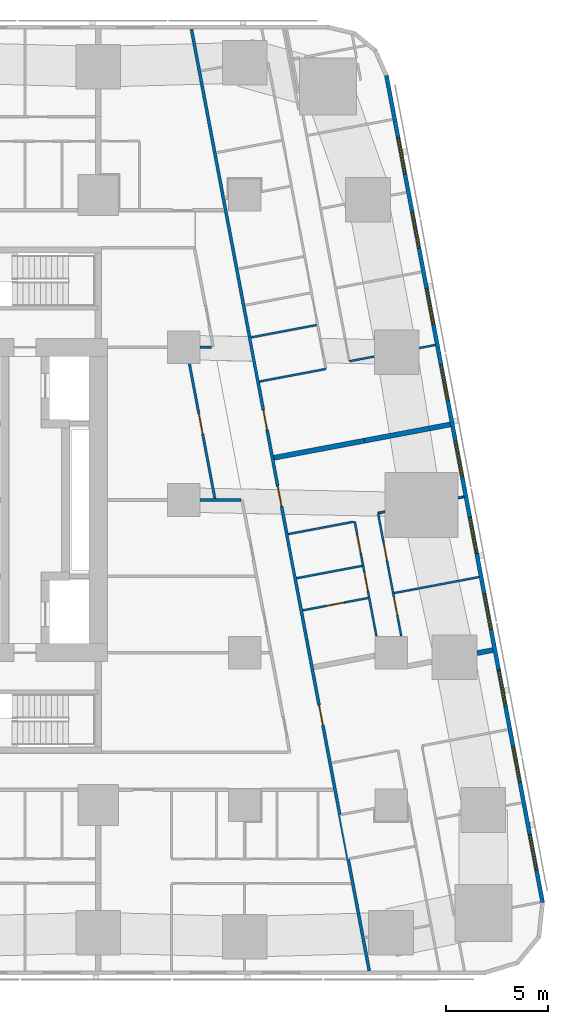
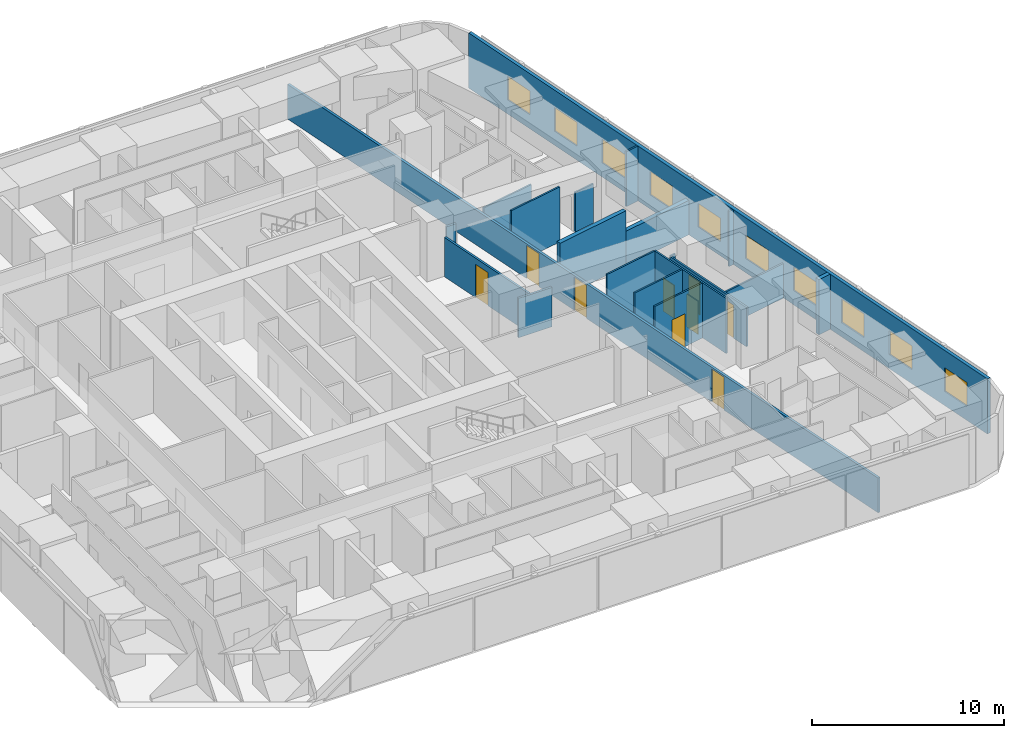
# One storey, part 7 of 15: 20 walls, 10 windows, 9 doors, 19 openings.
"""IFC4 building model written with IfcOpenShell, lengths in metres."""

from ifc_helpers import new_model, si_unit, direction, frame, frame_2d, origin, place, context, subcontext, project, spatial, rectangle, extrude, material, layer, layer_set, type_object, element, fill, save


model = new_model("IFC4")

# Units and contexts
model_context = context("Model", 3, precision=1e-05, world=origin(), true_north=direction((0.0, 1.0)))
body_context = subcontext(model_context, "Body", "Model", "MODEL_VIEW")
ifc_project = project(units=[si_unit("LENGTHUNIT", "METRE"), si_unit("AREAUNIT", "SQUARE_METRE"), si_unit("VOLUMEUNIT", "CUBIC_METRE"), si_unit("PLANEANGLEUNIT", "RADIAN"), si_unit("MASSUNIT", "GRAM", prefix="KILO")], contexts=[model_context])

# Site, building, storey
site_placement = place(None, origin())
site = spatial("IfcSite", under=ifc_project, at=site_placement, CompositionType="ELEMENT")
building_placement = place(site_placement, origin())
building = spatial("IfcBuilding", under=site, at=building_placement, Name="Sheger Commons Tower", CompositionType="ELEMENT")
storey_placement = place(building_placement, frame((0.0, 0.0, 77.89990234375)))
storey = spatial("IfcBuildingStorey", under=building, at=storey_placement, Name="L19", CompositionType="ELEMENT", Elevation=77.89990234375)

# Wall, openings, doors
ifc_material_1 = material(Name="Hollow concrete block masonry, skimmed both sides", Category="masonry")
ifc_layer_1 = layer(ifc_material_1, 0.14990234375)
ifc_layer_set_1 = layer_set([ifc_layer_1], Name="CORRIDOR WALL 150")
wall_type_1 = type_object("IfcWallType", Name="CORRIDOR WALL 150", PredefinedType="SOLIDWALL", material=ifc_layer_set_1)
wall_1_placement = place(storey_placement, frame((33.382080078125, 45.64990234375, 0.0), z_axis=(0.0, 0.0, 1.0), x_axis=(0.185593544777, -0.982626600565, 0.0)))
wall_1 = element("IfcWall", 1, at=wall_1_placement, inside=storey, type_object=wall_type_1, Name="Corridor wall L19", PredefinedType="SOLIDWALL", context=body_context, shape_type="SweptSolid", body=[
    extrude(rectangle(XDim=47.118408203125, YDim=0.14990234375, at=frame_2d((23.55908203125, 0.0))), origin(), (0.0, 0.0, 1.0), 2.2001953125),
])
opening_1_placement = place(wall_1_placement, frame((19.053955078125, 0.0, 0.0)))
opening_1 = element("IfcOpeningElement", 2, at=opening_1_placement, cuts=wall_1, Name="Opening D1", PredefinedType="OPENING", context=body_context, shape_type="SweptSolid", body=[
    extrude(rectangle(XDim=1.0, YDim=2.10009765625, at=frame_2d((0.5, 1.050048828125))), frame((0.0, 0.0849609375, 0.0), z_axis=(0.0, -1.0, 0.0), x_axis=(1.0, 0.0, 0.0)), (0.0, 0.0, 1.0), 0.169921875),
])
opening_2_placement = place(wall_1_placement, frame((22.8701171875, 0.0, 0.0)))
opening_2 = element("IfcOpeningElement", 3, at=opening_2_placement, cuts=wall_1, Name="Opening D1", PredefinedType="OPENING", context=body_context, shape_type="SweptSolid", body=[
    extrude(rectangle(XDim=1.0, YDim=2.10009765625, at=frame_2d((0.5, 1.050048828125))), frame((0.0, 0.0849609375, 0.0), z_axis=(0.0, -1.0, 0.0), x_axis=(1.0, 0.0, 0.0)), (0.0, 0.0, 1.0), 0.169921875),
])
opening_3_placement = place(wall_1_placement, frame((33.8330078125, 0.0, 0.0)))
opening_3 = element("IfcOpeningElement", 4, at=opening_3_placement, cuts=wall_1, Name="Opening D1", PredefinedType="OPENING", context=body_context, shape_type="SweptSolid", body=[
    extrude(rectangle(XDim=1.0, YDim=2.10009765625, at=frame_2d((0.5, 1.050048828125))), frame((0.0, 0.0849609375, 0.0), z_axis=(0.0, -1.0, 0.0), x_axis=(1.0, 0.0, 0.0)), (0.0, 0.0, 1.0), 0.169921875),
])
ifc_material_2 = material(Name="Steel door set, fire rated", Category="steel")
door_type_1 = type_object("IfcDoorType", Name="FLAT ENTRANCE DOOR 1000x2100", OperationType="NOTDEFINED", PredefinedType="DOOR", material=ifc_material_2)
door_1_placement = place(opening_1_placement, origin())
door_1 = element("IfcDoor", 5, at=door_1_placement, inside=storey, type_object=door_type_1, Name="Flat entrance door", OperationType="SINGLE_SWING_LEFT", OverallHeight=2.10009765625, OverallWidth=1.0, PredefinedType="DOOR", context=body_context, shape_type="SweptSolid", body=[
    extrude(rectangle(XDim=1.0, YDim=2.10009765625, at=frame_2d((0.5, 1.050048828125))), frame((0.0, 0.02490234375, 0.0), z_axis=(0.0, -1.0, 0.0), x_axis=(1.0, 0.0, 0.0)), (0.0, 0.0, 1.0), 0.050048828125),
])
fill(opening_1, door_1)
door_2_placement = place(opening_2_placement, origin())
door_2 = element("IfcDoor", 6, at=door_2_placement, inside=storey, type_object=door_type_1, Name="Flat entrance door", OperationType="SINGLE_SWING_RIGHT", OverallHeight=2.10009765625, OverallWidth=1.0, PredefinedType="DOOR", context=body_context, shape_type="SweptSolid", body=[
    extrude(rectangle(XDim=1.0, YDim=2.10009765625, at=frame_2d((0.5, 1.050048828125))), frame((0.0, 0.02490234375, 0.0), z_axis=(0.0, -1.0, 0.0), x_axis=(1.0, 0.0, 0.0)), (0.0, 0.0, 1.0), 0.050048828125),
])
fill(opening_2, door_2)
door_3_placement = place(opening_3_placement, origin())
door_3 = element("IfcDoor", 7, at=door_3_placement, inside=storey, type_object=door_type_1, Name="Flat entrance door", OperationType="SINGLE_SWING_LEFT", OverallHeight=2.10009765625, OverallWidth=1.0, PredefinedType="DOOR", context=body_context, shape_type="SweptSolid", body=[
    extrude(rectangle(XDim=1.0, YDim=2.10009765625, at=frame_2d((0.5, 1.050048828125))), frame((0.0, 0.02490234375, 0.0), z_axis=(0.0, -1.0, 0.0), x_axis=(1.0, 0.0, 0.0)), (0.0, 0.0, 1.0), 0.050048828125),
])
fill(opening_3, door_3)

# Walls
ifc_material_3 = material(Name="Dense concrete block masonry, plastered both sides (separating wall between flats)", Category="masonry")
ifc_layer_2 = layer(ifc_material_3, 0.25)
ifc_layer_set_2 = layer_set([ifc_layer_2], Name="DEMISING WALL 250")
wall_type_2 = type_object("IfcWallType", Name="DEMISING WALL 250", PredefinedType="SOLIDWALL", material=ifc_layer_set_2)
wall_2_placement = place(storey_placement, frame((46.110107421875, 26.212890625, 0.0), z_axis=(0.0, 0.0, 1.0), x_axis=(-0.982633535512, -0.185556823879, 0.0)))
element("IfcWall", 8, at=wall_2_placement, inside=storey, type_object=wall_type_2, Name="Demising wall L19", PredefinedType="SOLIDWALL", context=body_context, shape_type="SweptSolid", body=[
    extrude(rectangle(XDim=4.2998046875, YDim=0.25, at=frame_2d((2.14990234375, 0.0))), origin(), (0.0, 0.0, 1.0), 2.2001953125),
])
wall_3_placement = place(storey_placement, frame((41.885009765625, 25.4150390625, 0.0), z_axis=(0.0, 0.0, 1.0), x_axis=(-0.982612837616, -0.185666398014, 0.0)))
element("IfcWall", 9, at=wall_3_placement, inside=storey, type_object=wall_type_2, Name="Demising wall L19", PredefinedType="SOLIDWALL", context=body_context, shape_type="SweptSolid", body=[
    extrude(rectangle(XDim=4.524658203125, YDim=0.25, at=frame_2d((2.26220703125, 0.0))), origin(), (0.0, 0.0, 1.0), 3.5),
])
wall_4_placement = place(storey_placement, frame((48.2060546875, 15.1201171875, 0.0), z_axis=(0.0, 0.0, 1.0), x_axis=(-0.982638023929, -0.185533053469, 0.0)))
element("IfcWall", 10, at=wall_4_placement, inside=storey, type_object=wall_type_2, Name="Demising wall L19", PredefinedType="SOLIDWALL", context=body_context, shape_type="SweptSolid", body=[
    extrude(rectangle(XDim=0.78173828125, YDim=0.25, at=frame_2d((0.390869140625, 0.0))), origin(), (0.0, 0.0, 1.0), 3.5),
])

# Wall, openings, windows
ifc_material_4 = material(Name="Rendered concrete block masonry, dark grey", Category="masonry")
ifc_layer_3 = layer(ifc_material_4, 0.199951171875)
ifc_layer_set_3 = layer_set([ifc_layer_3], Name="FACADE WALL 200")
wall_type_3 = type_object("IfcWallType", Name="FACADE WALL 200", PredefinedType="SOLIDWALL", material=ifc_layer_set_3)
wall_5_placement = place(storey_placement, frame((50.653076171875, 2.702880859375, 0.0), z_axis=(0.0, 0.0, 1.0), x_axis=(-0.185612026696, 0.982623109613, 0.0)))
wall_5 = element("IfcWall", 11, at=wall_5_placement, inside=storey, type_object=wall_type_3, Name="Facade wall L19", PredefinedType="SOLIDWALL", context=body_context, shape_type="SweptSolid", body=[
    extrude(rectangle(XDim=41.393310546875, YDim=0.199951171875, at=frame_2d((20.69677734375, 0.0))), origin(), (0.0, 0.0, 1.0), 3.5),
])
opening_4_placement = place(wall_5_placement, frame((1.633056640625, 0.0, 0.89990234375)))
opening_4 = element("IfcOpeningElement", 12, at=opening_4_placement, cuts=wall_5, Name="Opening W2", PredefinedType="OPENING", context=body_context, shape_type="SweptSolid", body=[
    extrude(rectangle(XDim=1.800048828125, YDim=1.5, at=frame_2d((0.89990234375, 0.75))), frame((0.0, 0.10986328125, 0.0), z_axis=(0.0, -1.0, 0.0), x_axis=(1.0, 0.0, 0.0)), (0.0, 0.0, 1.0), 0.219970703125),
])
opening_5_placement = place(wall_5_placement, frame((6.031982421875, 0.0, 0.89990234375)))
opening_5 = element("IfcOpeningElement", 13, at=opening_5_placement, cuts=wall_5, Name="Opening W2", PredefinedType="OPENING", context=body_context, shape_type="SweptSolid", body=[
    extrude(rectangle(XDim=1.800048828125, YDim=1.5, at=frame_2d((0.89990234375, 0.75))), frame((0.0, 0.10986328125, 0.0), z_axis=(0.0, -1.0, 0.0), x_axis=(1.0, 0.0, 0.0)), (0.0, 0.0, 1.0), 0.219970703125),
])
opening_6_placement = place(wall_5_placement, frame((9.847900390625, 0.0, 0.89990234375)))
opening_6 = element("IfcOpeningElement", 14, at=opening_6_placement, cuts=wall_5, Name="Opening W2", PredefinedType="OPENING", context=body_context, shape_type="SweptSolid", body=[
    extrude(rectangle(XDim=1.800048828125, YDim=1.5, at=frame_2d((0.89990234375, 0.75))), frame((0.0, 0.10986328125, 0.0), z_axis=(0.0, -1.0, 0.0), x_axis=(1.0, 0.0, 0.0)), (0.0, 0.0, 1.0), 0.219970703125),
])
opening_7_placement = place(wall_5_placement, frame((13.6640625, 0.0, 0.89990234375)))
opening_7 = element("IfcOpeningElement", 15, at=opening_7_placement, cuts=wall_5, Name="Opening W2", PredefinedType="OPENING", context=body_context, shape_type="SweptSolid", body=[
    extrude(rectangle(XDim=1.800048828125, YDim=1.5, at=frame_2d((0.89990234375, 0.75))), frame((0.0, 0.10986328125, 0.0), z_axis=(0.0, -1.0, 0.0), x_axis=(1.0, 0.0, 0.0)), (0.0, 0.0, 1.0), 0.219970703125),
])
opening_8_placement = place(wall_5_placement, frame((17.48095703125, 0.0, 0.89990234375)))
opening_8 = element("IfcOpeningElement", 16, at=opening_8_placement, cuts=wall_5, Name="Opening W2", PredefinedType="OPENING", context=body_context, shape_type="SweptSolid", body=[
    extrude(rectangle(XDim=1.800048828125, YDim=1.5, at=frame_2d((0.89990234375, 0.75))), frame((0.0, 0.10986328125, 0.0), z_axis=(0.0, -1.0, 0.0), x_axis=(1.0, 0.0, 0.0)), (0.0, 0.0, 1.0), 0.219970703125),
])
opening_9_placement = place(wall_5_placement, frame((21.297119140625, 0.0, 0.89990234375)))
opening_9 = element("IfcOpeningElement", 17, at=opening_9_placement, cuts=wall_5, Name="Opening W2", PredefinedType="OPENING", context=body_context, shape_type="SweptSolid", body=[
    extrude(rectangle(XDim=1.800048828125, YDim=1.5, at=frame_2d((0.89990234375, 0.75))), frame((0.0, 0.10986328125, 0.0), z_axis=(0.0, -1.0, 0.0), x_axis=(1.0, 0.0, 0.0)), (0.0, 0.0, 1.0), 0.219970703125),
])
opening_10_placement = place(wall_5_placement, frame((25.113037109375, 0.0, 0.89990234375)))
opening_10 = element("IfcOpeningElement", 18, at=opening_10_placement, cuts=wall_5, Name="Opening W2", PredefinedType="OPENING", context=body_context, shape_type="SweptSolid", body=[
    extrude(rectangle(XDim=1.800048828125, YDim=1.5, at=frame_2d((0.89990234375, 0.75))), frame((0.0, 0.10986328125, 0.0), z_axis=(0.0, -1.0, 0.0), x_axis=(1.0, 0.0, 0.0)), (0.0, 0.0, 1.0), 0.219970703125),
])
opening_11_placement = place(wall_5_placement, frame((28.929931640625, 0.0, 0.89990234375)))
opening_11 = element("IfcOpeningElement", 19, at=opening_11_placement, cuts=wall_5, Name="Opening W2", PredefinedType="OPENING", context=body_context, shape_type="SweptSolid", body=[
    extrude(rectangle(XDim=1.800048828125, YDim=1.5, at=frame_2d((0.89990234375, 0.75))), frame((0.0, 0.10986328125, 0.0), z_axis=(0.0, -1.0, 0.0), x_axis=(1.0, 0.0, 0.0)), (0.0, 0.0, 1.0), 0.219970703125),
])
opening_12_placement = place(wall_5_placement, frame((32.74609375, 0.0, 0.89990234375)))
opening_12 = element("IfcOpeningElement", 20, at=opening_12_placement, cuts=wall_5, Name="Opening W2", PredefinedType="OPENING", context=body_context, shape_type="SweptSolid", body=[
    extrude(rectangle(XDim=1.800048828125, YDim=1.5, at=frame_2d((0.89990234375, 0.75))), frame((0.0, 0.10986328125, 0.0), z_axis=(0.0, -1.0, 0.0), x_axis=(1.0, 0.0, 0.0)), (0.0, 0.0, 1.0), 0.219970703125),
])
opening_13_placement = place(wall_5_placement, frame((36.48095703125, 0.0, 0.89990234375)))
opening_13 = element("IfcOpeningElement", 21, at=opening_13_placement, cuts=wall_5, Name="Opening W2", PredefinedType="OPENING", context=body_context, shape_type="SweptSolid", body=[
    extrude(rectangle(XDim=1.800048828125, YDim=1.5, at=frame_2d((0.89990234375, 0.75))), frame((0.0, 0.10986328125, 0.0), z_axis=(0.0, -1.0, 0.0), x_axis=(1.0, 0.0, 0.0)), (0.0, 0.0, 1.0), 0.219970703125),
])
ifc_material_5 = material(Name="Black aluminium frame, dark tinted double glazing", Category="aluminium")
window_type = type_object("IfcWindowType", Name="WINDOW W2 1800x1500", PartitioningType="SINGLE_PANEL", PredefinedType="WINDOW", material=ifc_material_5)
window_1_placement = place(opening_4_placement, origin())
window_1 = element("IfcWindow", 22, at=window_1_placement, inside=storey, type_object=window_type, Name="Window W2 1800X1500", OverallHeight=1.5, OverallWidth=1.800048828125, PartitioningType="SINGLE_PANEL", PredefinedType="WINDOW", context=body_context, shape_type="SweptSolid", body=[
    extrude(rectangle(XDim=1.800048828125, YDim=1.5, at=frame_2d((0.89990234375, 0.75))), frame((0.0, 0.030029296875, 0.0), z_axis=(0.0, -1.0, 0.0), x_axis=(1.0, 0.0, 0.0)), (0.0, 0.0, 1.0), 0.06005859375),
])
fill(opening_4, window_1)
window_2_placement = place(opening_5_placement, origin())
window_2 = element("IfcWindow", 23, at=window_2_placement, inside=storey, type_object=window_type, Name="Window W2 1800X1500", OverallHeight=1.5, OverallWidth=1.800048828125, PartitioningType="SINGLE_PANEL", PredefinedType="WINDOW", context=body_context, shape_type="SweptSolid", body=[
    extrude(rectangle(XDim=1.800048828125, YDim=1.5, at=frame_2d((0.89990234375, 0.75))), frame((0.0, 0.030029296875, 0.0), z_axis=(0.0, -1.0, 0.0), x_axis=(1.0, 0.0, 0.0)), (0.0, 0.0, 1.0), 0.06005859375),
])
fill(opening_5, window_2)
window_3_placement = place(opening_6_placement, origin())
window_3 = element("IfcWindow", 24, at=window_3_placement, inside=storey, type_object=window_type, Name="Window W2 1800X1500", OverallHeight=1.5, OverallWidth=1.800048828125, PartitioningType="SINGLE_PANEL", PredefinedType="WINDOW", context=body_context, shape_type="SweptSolid", body=[
    extrude(rectangle(XDim=1.800048828125, YDim=1.5, at=frame_2d((0.89990234375, 0.75))), frame((0.0, 0.030029296875, 0.0), z_axis=(0.0, -1.0, 0.0), x_axis=(1.0, 0.0, 0.0)), (0.0, 0.0, 1.0), 0.06005859375),
])
fill(opening_6, window_3)
window_4_placement = place(opening_7_placement, origin())
window_4 = element("IfcWindow", 25, at=window_4_placement, inside=storey, type_object=window_type, Name="Window W2 1800X1500", OverallHeight=1.5, OverallWidth=1.800048828125, PartitioningType="SINGLE_PANEL", PredefinedType="WINDOW", context=body_context, shape_type="SweptSolid", body=[
    extrude(rectangle(XDim=1.800048828125, YDim=1.5, at=frame_2d((0.89990234375, 0.75))), frame((0.0, 0.030029296875, 0.0), z_axis=(0.0, -1.0, 0.0), x_axis=(1.0, 0.0, 0.0)), (0.0, 0.0, 1.0), 0.06005859375),
])
fill(opening_7, window_4)
window_5_placement = place(opening_8_placement, origin())
window_5 = element("IfcWindow", 26, at=window_5_placement, inside=storey, type_object=window_type, Name="Window W2 1800X1500", OverallHeight=1.5, OverallWidth=1.800048828125, PartitioningType="SINGLE_PANEL", PredefinedType="WINDOW", context=body_context, shape_type="SweptSolid", body=[
    extrude(rectangle(XDim=1.800048828125, YDim=1.5, at=frame_2d((0.89990234375, 0.75))), frame((0.0, 0.030029296875, 0.0), z_axis=(0.0, -1.0, 0.0), x_axis=(1.0, 0.0, 0.0)), (0.0, 0.0, 1.0), 0.06005859375),
])
fill(opening_8, window_5)
window_6_placement = place(opening_9_placement, origin())
window_6 = element("IfcWindow", 27, at=window_6_placement, inside=storey, type_object=window_type, Name="Window W2 1800X1500", OverallHeight=1.5, OverallWidth=1.800048828125, PartitioningType="SINGLE_PANEL", PredefinedType="WINDOW", context=body_context, shape_type="SweptSolid", body=[
    extrude(rectangle(XDim=1.800048828125, YDim=1.5, at=frame_2d((0.89990234375, 0.75))), frame((0.0, 0.030029296875, 0.0), z_axis=(0.0, -1.0, 0.0), x_axis=(1.0, 0.0, 0.0)), (0.0, 0.0, 1.0), 0.06005859375),
])
fill(opening_9, window_6)
window_7_placement = place(opening_10_placement, origin())
window_7 = element("IfcWindow", 28, at=window_7_placement, inside=storey, type_object=window_type, Name="Window W2 1800X1500", OverallHeight=1.5, OverallWidth=1.800048828125, PartitioningType="SINGLE_PANEL", PredefinedType="WINDOW", context=body_context, shape_type="SweptSolid", body=[
    extrude(rectangle(XDim=1.800048828125, YDim=1.5, at=frame_2d((0.89990234375, 0.75))), frame((0.0, 0.030029296875, 0.0), z_axis=(0.0, -1.0, 0.0), x_axis=(1.0, 0.0, 0.0)), (0.0, 0.0, 1.0), 0.06005859375),
])
fill(opening_10, window_7)
window_8_placement = place(opening_11_placement, origin())
window_8 = element("IfcWindow", 29, at=window_8_placement, inside=storey, type_object=window_type, Name="Window W2 1800X1500", OverallHeight=1.5, OverallWidth=1.800048828125, PartitioningType="SINGLE_PANEL", PredefinedType="WINDOW", context=body_context, shape_type="SweptSolid", body=[
    extrude(rectangle(XDim=1.800048828125, YDim=1.5, at=frame_2d((0.89990234375, 0.75))), frame((0.0, 0.030029296875, 0.0), z_axis=(0.0, -1.0, 0.0), x_axis=(1.0, 0.0, 0.0)), (0.0, 0.0, 1.0), 0.06005859375),
])
fill(opening_11, window_8)
window_9_placement = place(opening_12_placement, origin())
window_9 = element("IfcWindow", 30, at=window_9_placement, inside=storey, type_object=window_type, Name="Window W2 1800X1500", OverallHeight=1.5, OverallWidth=1.800048828125, PartitioningType="SINGLE_PANEL", PredefinedType="WINDOW", context=body_context, shape_type="SweptSolid", body=[
    extrude(rectangle(XDim=1.800048828125, YDim=1.5, at=frame_2d((0.89990234375, 0.75))), frame((0.0, 0.030029296875, 0.0), z_axis=(0.0, -1.0, 0.0), x_axis=(1.0, 0.0, 0.0)), (0.0, 0.0, 1.0), 0.06005859375),
])
fill(opening_12, window_9)
window_10_placement = place(opening_13_placement, origin())
window_10 = element("IfcWindow", 31, at=window_10_placement, inside=storey, type_object=window_type, Name="Window W2 1800X1500", OverallHeight=1.5, OverallWidth=1.800048828125, PartitioningType="SINGLE_PANEL", PredefinedType="WINDOW", context=body_context, shape_type="SweptSolid", body=[
    extrude(rectangle(XDim=1.800048828125, YDim=1.5, at=frame_2d((0.89990234375, 0.75))), frame((0.0, 0.030029296875, 0.0), z_axis=(0.0, -1.0, 0.0), x_axis=(1.0, 0.0, 0.0)), (0.0, 0.0, 1.0), 0.06005859375),
])
fill(opening_13, window_10)

# Walls
ifc_material_6 = material(Name="Gypsum board on steel studs", Category="steel")
ifc_layer_4 = layer(ifc_material_6, 0.10009765625)
ifc_layer_set_4 = layer_set([ifc_layer_4], Name="PARTITION 100")
wall_type_4 = type_object("IfcWallType", Name="PARTITION 100", PredefinedType="PARTITIONING", material=ifc_layer_set_4)
wall_6_placement = place(storey_placement, frame((45.3720703125, 30.12109375, 0.0), z_axis=(0.0, 0.0, 1.0), x_axis=(-0.982512656401, -0.186195810938, 0.0)))
element("IfcWall", 32, at=wall_6_placement, inside=storey, type_object=wall_type_4, Name="Partition L19", PredefinedType="PARTITIONING", context=body_context, shape_type="SweptSolid", body=[
    extrude(rectangle(XDim=0.7958984375, YDim=0.10009765625, at=frame_2d((0.39794921875, 0.0))), origin(), (0.0, 0.0, 1.0), 3.5),
])
wall_7_placement = place(storey_placement, frame((42.3701171875, 29.552978515625, 0.0), z_axis=(0.0, 0.0, 1.0), x_axis=(-0.98263602344, -0.185543648338, 0.0)))
element("IfcWall", 33, at=wall_7_placement, inside=storey, type_object=wall_type_4, Name="Partition L19", PredefinedType="PARTITIONING", context=body_context, shape_type="SweptSolid", body=[
    extrude(rectangle(XDim=1.244873046875, YDim=0.10009765625, at=frame_2d((0.62255859375, 0.0))), origin(), (0.0, 0.0, 1.0), 2.5),
])
wall_8_placement = place(storey_placement, frame((39.9970703125, 28.94189453125, 0.0), z_axis=(0.0, 0.0, 1.0), x_axis=(-0.982569883123, -0.185893584556, 0.0)))
element("IfcWall", 34, at=wall_8_placement, inside=storey, type_object=wall_type_4, Name="Partition L19", PredefinedType="PARTITIONING", context=body_context, shape_type="SweptSolid", body=[
    extrude(rectangle(XDim=3.323974609375, YDim=0.10009765625, at=frame_2d((1.662109375, 0.0))), origin(), (0.0, 0.0, 1.0), 3.5),
])
wall_9_placement = place(storey_placement, frame((39.5380859375, 31.10400390625, 0.0), z_axis=(0.0, 0.0, 1.0), x_axis=(-0.982610347627, -0.185679575441, 0.0)))
element("IfcWall", 35, at=wall_9_placement, inside=storey, type_object=wall_type_4, Name="Partition L19", PredefinedType="PARTITIONING", context=body_context, shape_type="SweptSolid", body=[
    extrude(rectangle(XDim=3.27392578125, YDim=0.10009765625, at=frame_2d((1.636962890625, 0.0))), origin(), (0.0, 0.0, 1.0), 2.5),
])

# Wall, openings, doors
wall_10_placement = place(storey_placement, frame((42.56591796875, 21.80908203125, 0.0), z_axis=(0.0, 0.0, 1.0), x_axis=(0.18559218796, -0.982626856832, 0.0)))
wall_10 = element("IfcWall", 36, at=wall_10_placement, inside=storey, type_object=wall_type_4, Name="Partition L19", PredefinedType="PARTITIONING", context=body_context, shape_type="SweptSolid", body=[
    extrude(rectangle(XDim=6.10498046875, YDim=0.10009765625, at=frame_2d((3.052490234375, 0.0))), origin(), (0.0, 0.0, 1.0), 2.5),
])
opening_14_placement = place(wall_10_placement, frame((1.449951171875, 0.0, 0.0)))
opening_14 = element("IfcOpeningElement", 37, at=opening_14_placement, cuts=wall_10, Name="Opening D2", PredefinedType="OPENING", context=body_context, shape_type="SweptSolid", body=[
    extrude(rectangle(XDim=0.89990234375, YDim=2.10009765625, at=frame_2d((0.449951171875, 1.050048828125))), frame((0.0, 0.06005859375, 0.0), z_axis=(0.0, -1.0, 0.0), x_axis=(1.0, 0.0, 0.0)), (0.0, 0.0, 1.0), 0.1201171875),
])
opening_15_placement = place(wall_10_placement, frame((4.1630859375, 0.0, 0.0)))
opening_15 = element("IfcOpeningElement", 38, at=opening_15_placement, cuts=wall_10, Name="Opening D2", PredefinedType="OPENING", context=body_context, shape_type="SweptSolid", body=[
    extrude(rectangle(XDim=0.89990234375, YDim=2.10009765625, at=frame_2d((0.449951171875, 1.050048828125))), frame((0.0, 0.06005859375, 0.0), z_axis=(0.0, -1.0, 0.0), x_axis=(1.0, 0.0, 0.0)), (0.0, 0.0, 1.0), 0.1201171875),
])
ifc_material_7 = material(Name="Timber door set", Category="wood")
door_type_2 = type_object("IfcDoorType", Name="INTERNAL DOOR 900x2100", OperationType="NOTDEFINED", PredefinedType="DOOR", material=ifc_material_7)
door_4_placement = place(opening_14_placement, origin())
door_4 = element("IfcDoor", 39, at=door_4_placement, inside=storey, type_object=door_type_2, Name="Main bedroom door", OperationType="SINGLE_SWING_LEFT", OverallHeight=2.10009765625, OverallWidth=0.89990234375, PredefinedType="DOOR", context=body_context, shape_type="SweptSolid", body=[
    extrude(rectangle(XDim=0.89990234375, YDim=2.10009765625, at=frame_2d((0.449951171875, 1.050048828125))), frame((0.0, 0.02490234375, 0.0), z_axis=(0.0, -1.0, 0.0), x_axis=(1.0, 0.0, 0.0)), (0.0, 0.0, 1.0), 0.050048828125),
])
fill(opening_14, door_4)
door_5_placement = place(opening_15_placement, origin())
door_5 = element("IfcDoor", 40, at=door_5_placement, inside=storey, type_object=door_type_2, Name="Bedroom 2 door", OperationType="SINGLE_SWING_LEFT", OverallHeight=2.10009765625, OverallWidth=0.89990234375, PredefinedType="DOOR", context=body_context, shape_type="SweptSolid", body=[
    extrude(rectangle(XDim=0.89990234375, YDim=2.10009765625, at=frame_2d((0.449951171875, 1.050048828125))), frame((0.0, 0.02490234375, 0.0), z_axis=(0.0, -1.0, 0.0), x_axis=(1.0, 0.0, 0.0)), (0.0, 0.0, 1.0), 0.050048828125),
])
fill(opening_15, door_5)

wall_11_placement = place(storey_placement, frame((41.4140625, 21.44189453125, 0.0), z_axis=(0.0, 0.0, 1.0), x_axis=(0.185636022079, -0.982618576716, 0.0)))
wall_11 = element("IfcWall", 41, at=wall_11_placement, inside=storey, type_object=wall_type_4, Name="Partition L19", PredefinedType="PARTITIONING", context=body_context, shape_type="SweptSolid", body=[
    extrude(rectangle(XDim=5.7314453125, YDim=0.10009765625, at=frame_2d((2.86572265625, 0.0))), origin(), (0.0, 0.0, 1.0), 3.5),
])
opening_16_placement = place(wall_11_placement, frame((0.655029296875, 0.0, 0.0)))
opening_16 = element("IfcOpeningElement", 42, at=opening_16_placement, cuts=wall_11, Name="Opening D2", PredefinedType="OPENING", context=body_context, shape_type="SweptSolid", body=[
    extrude(rectangle(XDim=0.89990234375, YDim=2.10009765625, at=frame_2d((0.449951171875, 1.050048828125))), frame((0.0, 0.06005859375, 0.0), z_axis=(0.0, -1.0, 0.0), x_axis=(1.0, 0.0, 0.0)), (0.0, 0.0, 1.0), 0.1201171875),
])
opening_17_placement = place(wall_11_placement, frame((2.56298828125, 0.0, 0.0)))
opening_17 = element("IfcOpeningElement", 43, at=opening_17_placement, cuts=wall_11, Name="Opening D2", PredefinedType="OPENING", context=body_context, shape_type="SweptSolid", body=[
    extrude(rectangle(XDim=0.89990234375, YDim=2.10009765625, at=frame_2d((0.449951171875, 1.050048828125))), frame((0.0, 0.06005859375, 0.0), z_axis=(0.0, -1.0, 0.0), x_axis=(1.0, 0.0, 0.0)), (0.0, 0.0, 1.0), 0.1201171875),
])
door_6_placement = place(opening_16_placement, origin())
door_6 = element("IfcDoor", 44, at=door_6_placement, inside=storey, type_object=door_type_2, Name="Bathroom door", OperationType="SINGLE_SWING_RIGHT", OverallHeight=2.10009765625, OverallWidth=0.89990234375, PredefinedType="DOOR", context=body_context, shape_type="SweptSolid", body=[
    extrude(rectangle(XDim=0.89990234375, YDim=2.10009765625, at=frame_2d((0.449951171875, 1.050048828125))), frame((0.0, 0.02490234375, 0.0), z_axis=(0.0, -1.0, 0.0), x_axis=(1.0, 0.0, 0.0)), (0.0, 0.0, 1.0), 0.050048828125),
])
fill(opening_16, door_6)
door_7_placement = place(opening_17_placement, origin())
door_7 = element("IfcDoor", 45, at=door_7_placement, inside=storey, type_object=door_type_2, Name="Store door", OperationType="SINGLE_SWING_RIGHT", OverallHeight=2.10009765625, OverallWidth=0.89990234375, PredefinedType="DOOR", context=body_context, shape_type="SweptSolid", body=[
    extrude(rectangle(XDim=0.89990234375, YDim=2.10009765625, at=frame_2d((0.449951171875, 1.050048828125))), frame((0.0, 0.02490234375, 0.0), z_axis=(0.0, -1.0, 0.0), x_axis=(1.0, 0.0, 0.0)), (0.0, 0.0, 1.0), 0.050048828125),
])
fill(opening_17, door_7)

# Walls
wall_12_placement = place(storey_placement, frame((46.781982421875, 22.656982421875, 0.0), z_axis=(0.0, 0.0, 1.0), x_axis=(-0.982574553168, -0.185868898601, 0.0)))
element("IfcWall", 46, at=wall_12_placement, inside=storey, type_object=wall_type_4, Name="Partition L19", PredefinedType="PARTITIONING", context=body_context, shape_type="SweptSolid", body=[
    extrude(rectangle(XDim=0.27978515625, YDim=0.10009765625, at=frame_2d((0.139892578125, 0.0))), origin(), (0.0, 0.0, 1.0), 3.5),
])
wall_13_placement = place(storey_placement, frame((42.886962890625, 21.9208984375, 0.0), z_axis=(0.0, 0.0, 1.0), x_axis=(-0.982274918032, -0.187445953293, 0.0)))
element("IfcWall", 47, at=wall_13_placement, inside=storey, type_object=wall_type_4, Name="Partition L19", PredefinedType="PARTITIONING", context=body_context, shape_type="SweptSolid", body=[
    extrude(rectangle(XDim=0.3359375, YDim=0.10009765625, at=frame_2d((0.16796875, 0.0))), origin(), (0.0, 0.0, 1.0), 2.5),
])
wall_14_placement = place(storey_placement, frame((47.527099609375, 18.7119140625, 0.0), z_axis=(0.0, 0.0, 1.0), x_axis=(-0.982665405803, -0.185387972203, 0.0)))
element("IfcWall", 48, at=wall_14_placement, inside=storey, type_object=wall_type_4, Name="Partition L19", PredefinedType="PARTITIONING", context=body_context, shape_type="SweptSolid", body=[
    extrude(rectangle(XDim=4.249755859375, YDim=0.10009765625, at=frame_2d((2.125, 0.0))), origin(), (0.0, 0.0, 1.0), 2.2001953125),
])
wall_15_placement = place(storey_placement, frame((41.364990234375, 21.43310546875, 0.0), z_axis=(0.0, 0.0, 1.0), x_axis=(-0.982607026909, -0.185697147715, 0.0)))
element("IfcWall", 49, at=wall_15_placement, inside=storey, type_object=wall_type_4, Name="Partition L19", PredefinedType="PARTITIONING", context=body_context, shape_type="SweptSolid", body=[
    extrude(rectangle(XDim=3.27490234375, YDim=0.10009765625, at=frame_2d((1.637451171875, 0.0))), origin(), (0.0, 0.0, 1.0), 3.5),
])

# Wall, opening, door
wall_16_placement = place(storey_placement, frame((42.072998046875, 17.681884765625, 0.0), z_axis=(0.0, 0.0, 1.0), x_axis=(-0.982610347627, -0.185679575441, 0.0)))
wall_16 = element("IfcWall", 50, at=wall_16_placement, inside=storey, type_object=wall_type_4, Name="Partition L19", PredefinedType="PARTITIONING", context=body_context, shape_type="SweptSolid", body=[
    extrude(rectangle(XDim=3.27392578125, YDim=0.10009765625, at=frame_2d((1.636962890625, 0.0))), origin(), (0.0, 0.0, 1.0), 3.5),
])
opening_18_placement = place(wall_16_placement, frame((1.199951171875, 0.0, 0.0)))
opening_18 = element("IfcOpeningElement", 51, at=opening_18_placement, cuts=wall_16, Name="Opening D2", PredefinedType="OPENING", context=body_context, shape_type="SweptSolid", body=[
    extrude(rectangle(XDim=0.89990234375, YDim=2.10009765625, at=frame_2d((0.449951171875, 1.050048828125))), frame((0.0, 0.06005859375, 0.0), z_axis=(0.0, -1.0, 0.0), x_axis=(1.0, 0.0, 0.0)), (0.0, 0.0, 1.0), 0.1201171875),
])
door_8_placement = place(opening_18_placement, origin())
door_8 = element("IfcDoor", 52, at=door_8_placement, inside=storey, type_object=door_type_2, Name="Store door", OperationType="SINGLE_SWING_RIGHT", OverallHeight=2.10009765625, OverallWidth=0.89990234375, PredefinedType="DOOR", context=body_context, shape_type="SweptSolid", body=[
    extrude(rectangle(XDim=0.89990234375, YDim=2.10009765625, at=frame_2d((0.449951171875, 1.050048828125))), frame((0.0, 0.02490234375, 0.0), z_axis=(0.0, -1.0, 0.0), x_axis=(1.0, 0.0, 0.0)), (0.0, 0.0, 1.0), 0.050048828125),
])
fill(opening_18, door_8)

# Wall
wall_17_placement = place(storey_placement, frame((41.77490234375, 19.260986328125, 0.0), z_axis=(0.0, 0.0, 1.0), x_axis=(-0.982620626894, -0.185625169636, 0.0)))
element("IfcWall", 53, at=wall_17_placement, inside=storey, type_object=wall_type_4, Name="Partition L19", PredefinedType="PARTITIONING", context=body_context, shape_type="SweptSolid", body=[
    extrude(rectangle(XDim=3.27490234375, YDim=0.10009765625, at=frame_2d((1.637451171875, 0.0))), origin(), (0.0, 0.0, 1.0), 3.5),
])

# Wall, opening, door
ifc_material_8 = material(Name="Gypsum board on steel studs, two layers each side, fire rated", Category="steel")
ifc_layer_5 = layer(ifc_material_8, 0.125)
ifc_layer_set_5 = layer_set([ifc_layer_5], Name="SERVICE WALL 125")
wall_type_5 = type_object("IfcWallType", Name="SERVICE WALL 125", PredefinedType="PARTITIONING", material=ifc_layer_set_5)
wall_18_placement = place(storey_placement, frame((34.534912109375, 22.573974609375, 0.0), z_axis=(0.0, 0.0, 1.0), x_axis=(-0.185591596381, 0.982626968566, 0.0)))
wall_18 = element("IfcWall", 54, at=wall_18_placement, inside=storey, type_object=wall_type_5, Name="Service room wall L19", PredefinedType="PARTITIONING", context=body_context, shape_type="SweptSolid", body=[
    extrude(rectangle(XDim=6.72998046875, YDim=0.125, at=frame_2d((3.364990234375, 0.0))), origin(), (0.0, 0.0, 1.0), 2.5),
])
opening_19_placement = place(wall_18_placement, frame((3.240966796875, 0.0, 0.0)))
opening_19 = element("IfcOpeningElement", 55, at=opening_19_placement, cuts=wall_18, Name="Opening D4", PredefinedType="OPENING", context=body_context, shape_type="SweptSolid", body=[
    extrude(rectangle(XDim=1.0, YDim=2.10009765625, at=frame_2d((0.5, 1.050048828125))), frame((0.0, 0.072509765625, 0.0), z_axis=(0.0, -1.0, 0.0), x_axis=(1.0, 0.0, 0.0)), (0.0, 0.0, 1.0), 0.14501953125),
])
ifc_material_9 = material(Name="Steel door set, fire rated", Category="steel")
door_type_3 = type_object("IfcDoorType", Name="SERVICE DOOR 1000x2100", OperationType="NOTDEFINED", PredefinedType="DOOR", material=ifc_material_9)
door_9_placement = place(opening_19_placement, origin())
door_9 = element("IfcDoor", 56, at=door_9_placement, inside=storey, type_object=door_type_3, Name="Residents' lounge door", OperationType="SINGLE_SWING_RIGHT", OverallHeight=2.10009765625, OverallWidth=1.0, PredefinedType="DOOR", context=body_context, shape_type="SweptSolid", body=[
    extrude(rectangle(XDim=1.0, YDim=2.10009765625, at=frame_2d((0.5, 1.050048828125))), frame((0.0, 0.02490234375, 0.0), z_axis=(0.0, -1.0, 0.0), x_axis=(1.0, 0.0, 0.0)), (0.0, 0.0, 1.0), 0.050048828125),
])
fill(opening_19, door_9)

# Walls
wall_19_placement = place(storey_placement, frame((33.801025390625, 22.5, 0.0), z_axis=(0.0, 0.0, 1.0), x_axis=(1.0, 0.0, 0.0)))
element("IfcWall", 57, at=wall_19_placement, inside=storey, type_object=wall_type_5, Name="Service room wall L19", PredefinedType="PARTITIONING", context=body_context, shape_type="SweptSolid", body=[
    extrude(rectangle(XDim=2.009033203125, YDim=0.125, at=frame_2d((1.00439453125, 0.0))), origin(), (0.0, 0.0, 1.0), 2.5),
])
wall_20_placement = place(storey_placement, frame((33.801025390625, 30.0, 0.0), z_axis=(0.0, 0.0, 1.0), x_axis=(1.0, 0.0, 0.0)))
element("IfcWall", 58, at=wall_20_placement, inside=storey, type_object=wall_type_5, Name="Service room wall L19", PredefinedType="PARTITIONING", context=body_context, shape_type="SweptSolid", body=[
    extrude(rectangle(XDim=0.578857421875, YDim=0.125, at=frame_2d((0.28955078125, 0.0))), origin(), (0.0, 0.0, 1.0), 2.5),
])

save(model, "model.ifc")
